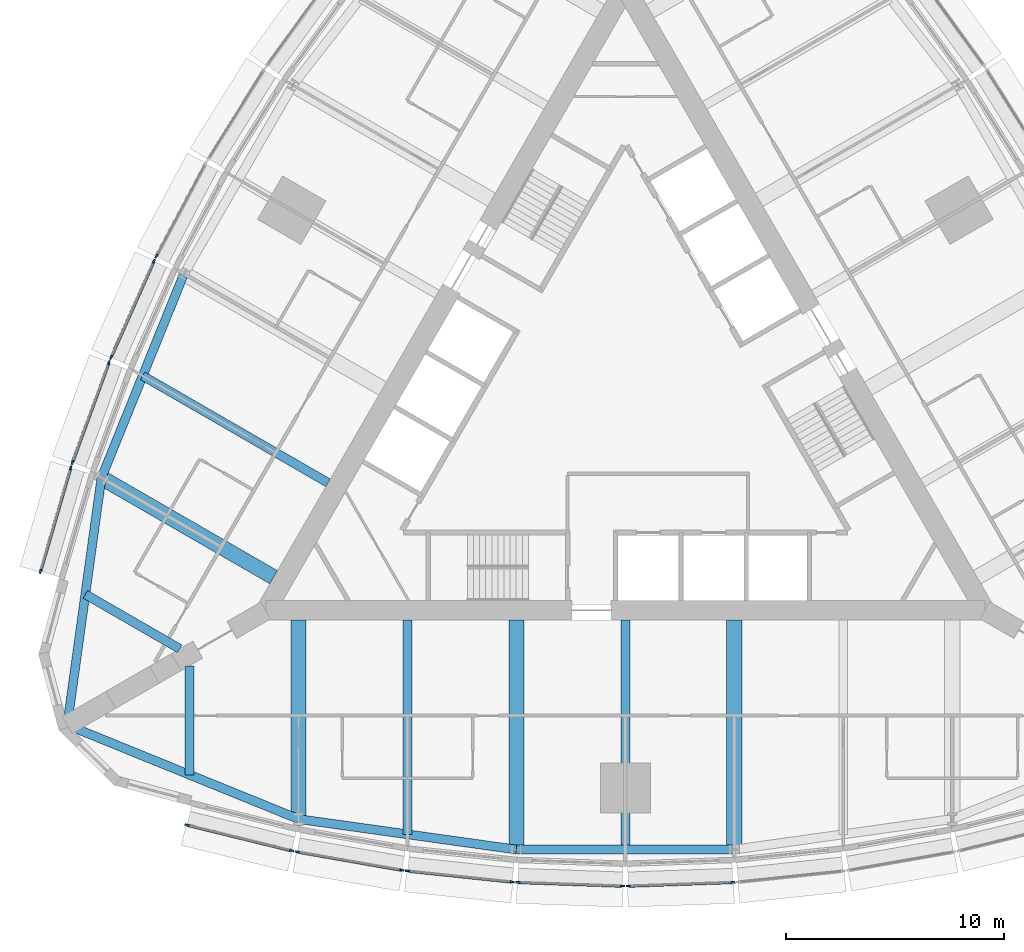
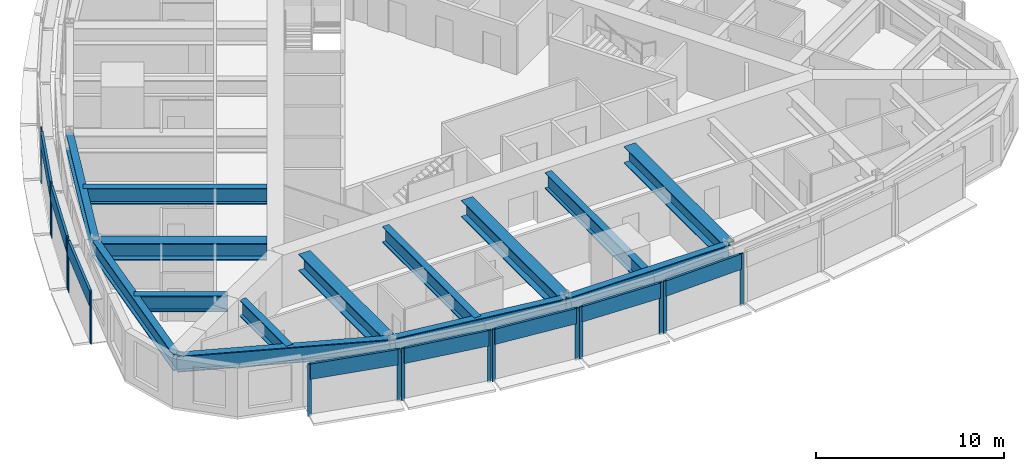
# One storey, part 2 of 15: 25 members, 14 beams, 9 elements without a shape of their own.
"""IFC4 building model written with IfcOpenShell, lengths in metres."""

import ifcopenshell
import ifcopenshell.guid

model = None  # the IFC model being written
_history = None  # IfcOwnerHistory: only IFC2X3 demands one
_inside = {}  # id of a spatial element -> (the spatial element, [elements in it])
_under = {}  # id of a project, library or spatial element -> (it, [spatial elements below it])
_declared = {}  # id of a project -> (the project, [libraries it declares])
_typed = {}  # id of a type object -> (the type object, [elements of that type])
_made_of = {}  # id of a material, layer set ... -> (it, [elements and type objects made of it])


def new_model(schema):
    """Start an empty IFC model of exactly this schema.

    Asked for "IFC4X3", IfcOpenShell would pick the latest addendum, in which some entities
    have other attributes; the version numbers below select the first issue.
    IFC2X3 requires an IfcOwnerHistory on every rooted entity: one is made here for all.
    """
    global model, _history
    if schema == "IFC4X3":
        model = ifcopenshell.file(schema_version=(4, 3, 0, 0))
    else:
        model = ifcopenshell.file(schema=schema)
    _inside.clear()
    _under.clear()
    _declared.clear()
    _typed.clear()
    _made_of.clear()
    _history = None
    if model.schema == "IFC2X3":
        org = make("IfcOrganization", Name="unknown")
        user = make(
            "IfcPersonAndOrganization",
            ThePerson=make("IfcPerson", FamilyName="unknown"),
            TheOrganization=org,
        )
        app = make(
            "IfcApplication",
            ApplicationDeveloper=org,
            Version="unknown",
            ApplicationFullName="unknown",
            ApplicationIdentifier="unknown",
        )
        _history = make(
            "IfcOwnerHistory",
            OwningUser=user,
            OwningApplication=app,
            ChangeAction="ADDED",
            CreationDate=0,
        )
    return model


def make(cls, **values):
    """One entity of the class cls with the attributes given. An attribute that is None is left unset."""
    return model.create_entity(
        cls, **{name: value for name, value in values.items() if value is not None}
    )


def rooted(cls, **values):
    """An entity with a GlobalId (a new one), such as an element, a storey or a relation."""
    return make(cls, GlobalId=ifcopenshell.guid.new(), OwnerHistory=_history, **values)


def si_unit(unit_type, name, prefix=None):
    """IfcSIUnit, for example si_unit("LENGTHUNIT", "METRE", prefix="MILLI")."""
    return make("IfcSIUnit", UnitType=unit_type, Prefix=prefix, Name=name)


def assignment(units):
    """IfcUnitAssignment: the units of a project."""
    return None if units is None else make("IfcUnitAssignment", Units=units)


def point(xyz):
    """IfcCartesianPoint."""
    return None if xyz is None else make("IfcCartesianPoint", Coordinates=xyz)


def direction(xyz):
    """IfcDirection."""
    return None if xyz is None else make("IfcDirection", DirectionRatios=xyz)


def frame(location, z_axis=None, x_axis=None):
    """IfcAxis2Placement3D, a coordinate frame: its origin and axes. An axis left out is left unset."""
    return make(
        "IfcAxis2Placement3D",
        Location=point(location),
        Axis=direction(z_axis),
        RefDirection=direction(x_axis),
    )


def frame_2d(location, x_axis=None):
    """IfcAxis2Placement2D, a coordinate frame in the plane: its origin and x axis."""
    return make(
        "IfcAxis2Placement2D", Location=point(location), RefDirection=direction(x_axis)
    )


def origin():
    """The frame at (0, 0, 0) with its axes left unset."""
    return frame((0.0, 0.0, 0.0))


def origin_2d():
    """The frame at (0, 0) in the plane with its x axis left unset."""
    return frame_2d((0.0, 0.0))


def place(relative_to, where):
    """IfcLocalPlacement: puts the frame where relative to a parent placement (None: the world)."""
    return make(
        "IfcLocalPlacement", PlacementRelTo=relative_to, RelativePlacement=where
    )


def context(
    kind, dimensions, precision=None, world=None, true_north=None, identifier=None
):
    """IfcGeometricRepresentationContext, for example the 3D "Model" context."""
    return make(
        "IfcGeometricRepresentationContext",
        ContextIdentifier=identifier,
        ContextType=kind,
        CoordinateSpaceDimension=dimensions,
        Precision=precision,
        WorldCoordinateSystem=world,
        TrueNorth=true_north,
    )


def subcontext(parent, identifier, kind, view, scale=None):
    """IfcGeometricRepresentationSubContext, for example "Body" below "Model"."""
    return make(
        "IfcGeometricRepresentationSubContext",
        ContextIdentifier=identifier,
        ContextType=kind,
        ParentContext=parent,
        TargetScale=scale,
        TargetView=view,
    )


def project(units=None, contexts=None):
    """IfcProject with its units and contexts."""
    return rooted(
        "IfcProject",
        Name="project",
        RepresentationContexts=contexts,
        UnitsInContext=assignment(units),
    )


def spatial(cls, under=None, at=None, **own):
    """A site, building, storey or space (cls), placed at a placement, below another one or the project."""
    s = rooted(cls, ObjectPlacement=at, **own)
    if under is not None:
        _under.setdefault(under.id(), (under, []))[1].append(s)
    return s


def profile(cls, at=None, kind="AREA", **sizes):
    """A parametric profile (cls). Its sizes go by their IFC names, for example OverallWidth=200.0."""
    return make(cls, ProfileType=kind, Position=at, **sizes)


def rectangle(**sizes):
    """IfcRectangleProfileDef."""
    return profile("IfcRectangleProfileDef", **sizes)


def i_section(**sizes):
    """IfcIShapeProfileDef."""
    return profile("IfcIShapeProfileDef", **sizes)


def extrude(swept, where, along, depth):
    """IfcExtrudedAreaSolid: the profile swept, set in the frame where, extruded along a direction by depth."""
    return make(
        "IfcExtrudedAreaSolid",
        SweptArea=swept,
        Position=where,
        ExtrudedDirection=direction(along),
        Depth=depth,
    )


def shape(context_of_items, identifier, shape_type, items):
    """IfcShapeRepresentation: the items that make up one representation, for example the "Body"."""
    return make(
        "IfcShapeRepresentation",
        ContextOfItems=context_of_items,
        RepresentationIdentifier=identifier,
        RepresentationType=shape_type,
        Items=items,
    )


def material(Name=None, Category=None):
    """IfcMaterial."""
    return make("IfcMaterial", Name=Name, Category=Category)


def material_profile(
    of_material, cross_section, Name=None, Category=None, Priority=None
):
    """IfcMaterialProfile: a cross section and its material."""
    return make(
        "IfcMaterialProfile",
        Name=Name,
        Material=of_material,
        Profile=cross_section,
        Priority=Priority,
        Category=Category,
    )


def profile_set(profiles, Name=None, composite=None):
    """IfcMaterialProfileSet."""
    return make(
        "IfcMaterialProfileSet",
        Name=Name,
        MaterialProfiles=profiles,
        CompositeProfile=composite,
    )


def made_of(thing, what):
    """Note that an element or type object is made of a material, layer set ...; save() writes the relation."""
    if what is not None:
        _made_of.setdefault(what.id(), (what, []))[1].append(thing)
    return thing


def type_object(cls, material=None, **own):
    """A type object (cls), such as IfcWallType, which elements share."""
    return made_of(rooted(cls, **own), material)


def element(
    cls,
    number,
    at=None,
    inside=None,
    cuts=None,
    type_object=None,
    material=None,
    context=None,
    identifier="Body",
    shape_type=None,
    held_by="IfcProductDefinitionShape",
    body=None,
    shapes=None,
    **own,
):
    """One element of the class cls, such as IfcWall. Its Tag is "e" and its number.

    at: its placement. inside: the storey or other place that contains it. cuts: it is an
    opening in that element (IfcRelVoidsElement). A single representation is given by context,
    identifier, shape_type and body (its items); several are given by shapes. held_by: the class
    of the entity that holds the representations. save() writes the other relations.
    """
    e = rooted(cls, Tag="e%d" % number, ObjectPlacement=at, **own)
    if body is not None:
        shapes = [shape(context, identifier, shape_type, body)]
    if shapes is not None:
        e.Representation = make(held_by, Representations=shapes)
    if inside is not None:
        _inside.setdefault(inside.id(), (inside, []))[1].append(e)
    if cuts is not None:
        rooted(
            "IfcRelVoidsElement", RelatingBuildingElement=cuts, RelatedOpeningElement=e
        )
    if type_object is not None:
        _typed.setdefault(type_object.id(), (type_object, []))[1].append(e)
    return made_of(e, material)


def aggregate(whole, parts):
    """IfcRelAggregates: a whole, such as a stair, and the parts it consists of."""
    return rooted("IfcRelAggregates", RelatingObject=whole, RelatedObjects=parts)


def save(model, path):
    """Write the relations noted so far, then the file.

    IfcRelAggregates (storeys below a building ...), IfcRelContainedInSpatialStructure (elements
    in a storey), IfcRelDefinesByType, IfcRelAssociatesMaterial and IfcRelDeclares: one each for
    every whole, place, type object, material and project.
    """
    for whole, parts in _under.values():
        aggregate(whole, parts)
    for where, things in _inside.values():
        rooted(
            "IfcRelContainedInSpatialStructure",
            RelatedElements=things,
            RelatingStructure=where,
        )
    for kind, things in _typed.values():
        rooted("IfcRelDefinesByType", RelatedObjects=things, RelatingType=kind)
    for what, things in _made_of.values():
        rooted("IfcRelAssociatesMaterial", RelatedObjects=things, RelatingMaterial=what)
    for by, libraries in _declared.values():
        rooted("IfcRelDeclares", RelatingContext=by, RelatedDefinitions=libraries)
    model.write(path)


model = new_model("IFC4")

# Units and contexts
model_context = context("Model", 3, precision=1e-05, world=origin(), true_north=direction((0.0, 1.0)))
body_context = subcontext(model_context, "Body", "Model", "MODEL_VIEW")
ifc_project = project(units=[si_unit("LENGTHUNIT", "METRE"), si_unit("AREAUNIT", "SQUARE_METRE"), si_unit("VOLUMEUNIT", "CUBIC_METRE"), si_unit("PLANEANGLEUNIT", "RADIAN"), si_unit("MASSUNIT", "GRAM", prefix="KILO")], contexts=[model_context])

# Site, building, storey
site_placement = place(None, origin())
site = spatial("IfcSite", under=ifc_project, at=site_placement, CompositionType="ELEMENT")
building_placement = place(site_placement, origin())
building = spatial("IfcBuilding", under=site, at=building_placement, Name="Trikona Tower", CompositionType="ELEMENT")
storey_placement = place(building_placement, frame((0.0, 0.0, 186.10009765625)))
storey = spatial("IfcBuildingStorey", under=building, at=storey_placement, Name="L50", CompositionType="ELEMENT", Elevation=186.10009765625)

# Curtain wall, members
ifc_material_1 = material(Name="Aluminium curtain wall system", Category="aluminium")
curtain_wall_type = type_object("IfcCurtainWallType", Name="Curtain wall DS2S", PredefinedType="NOTDEFINED", material=ifc_material_1)
curtain_wall_1_placement = place(storey_placement, origin())
curtain_wall_1 = element("IfcCurtainWall", 1, at=curtain_wall_1_placement, inside=storey, type_object=curtain_wall_type, Name="Curtain wall DS2S L50", PredefinedType="NOTDEFINED")
ifc_material_2 = material(Name="Aluminium mullion, pale anodised", Category="aluminium")
ifc_material_profile_1 = material_profile(ifc_material_2, rectangle(XDim=0.080078125, YDim=0.199951171875, at=origin_2d()), Name="MUL-DS2S")
ifc_profile_set_1 = profile_set([ifc_material_profile_1], Name="Aluminium mullion, pale anodised")
member_type_1 = type_object("IfcMemberType", Name="Mullion DS2S 80x200", PredefinedType="MULLION", material=ifc_profile_set_1)
member_1_placement = place(storey_placement, frame((-20.116943359375, -19.373046875, 0.0), z_axis=(0.0, 0.0, 1.0), x_axis=(0.237970204243, 0.971272455026, 0.0)))
member_1 = element("IfcMember", 2, at=member_1_placement, type_object=member_type_1, Name="CW-DS2S mullion 1", PredefinedType="MULLION", context=body_context, shape_type="SweptSolid", body=[
    extrude(rectangle(XDim=0.080078125, YDim=0.199951171875, at=origin_2d()), origin(), (0.0, 0.0, 1.0), 3.39990234375),
])
member_2_placement = place(storey_placement, frame((-15.311279296875, -20.550537109375, 0.0), z_axis=(0.0, 0.0, 1.0), x_axis=(0.237970204243, 0.971272455026, 0.0)))
member_2 = element("IfcMember", 3, at=member_2_placement, type_object=member_type_1, Name="CW-DS2S mullion 2", PredefinedType="MULLION", context=body_context, shape_type="SweptSolid", body=[
    extrude(rectangle(XDim=0.080078125, YDim=0.199951171875, at=origin_2d()), origin(), (0.0, 0.0, 1.0), 3.39990234375),
])

curtain_wall_2_placement = place(storey_placement, origin())
curtain_wall_2 = element("IfcCurtainWall", 4, at=curtain_wall_2_placement, inside=storey, type_object=curtain_wall_type, Name="Curtain wall DS2S L50", PredefinedType="NOTDEFINED")
member_3_placement = place(storey_placement, frame((-15.056640625, -20.60400390625, 0.0), z_axis=(0.0, 0.0, 1.0), x_axis=(0.17237739505, 0.985030981074, 0.0)))
member_3 = element("IfcMember", 5, at=member_3_placement, type_object=member_type_1, Name="CW-DS2S mullion 1", PredefinedType="MULLION", context=body_context, shape_type="SweptSolid", body=[
    extrude(rectangle(XDim=0.080078125, YDim=0.199951171875, at=origin_2d()), origin(), (0.0, 0.0, 1.0), 3.39990234375),
])
member_4_placement = place(storey_placement, frame((-10.253662109375, -21.444580078125, 0.0), z_axis=(0.0, 0.0, 1.0), x_axis=(0.17237739505, 0.985030981074, 0.0)))
member_4 = element("IfcMember", 6, at=member_4_placement, type_object=member_type_1, Name="CW-DS2S mullion 2", PredefinedType="MULLION", context=body_context, shape_type="SweptSolid", body=[
    extrude(rectangle(XDim=0.080078125, YDim=0.199951171875, at=origin_2d()), origin(), (0.0, 0.0, 1.0), 3.39990234375),
])

curtain_wall_3_placement = place(storey_placement, origin())
curtain_wall_3 = element("IfcCurtainWall", 7, at=curtain_wall_3_placement, inside=storey, type_object=curtain_wall_type, Name="Curtain wall DS2S L50", PredefinedType="NOTDEFINED")
member_5_placement = place(storey_placement, frame((-9.99462890625, -21.480712890625, 0.0), z_axis=(0.0, 0.0, 1.0), x_axis=(0.104433387357, 0.994531883654, 0.0)))
member_5 = element("IfcMember", 8, at=member_5_placement, type_object=member_type_1, Name="CW-DS2S mullion 1", PredefinedType="MULLION", context=body_context, shape_type="SweptSolid", body=[
    extrude(rectangle(XDim=0.080078125, YDim=0.199951171875, at=origin_2d()), origin(), (0.0, 0.0, 1.0), 3.39990234375),
])
member_6_placement = place(storey_placement, frame((-5.193359375, -21.98486328125, 0.0), z_axis=(0.0, 0.0, 1.0), x_axis=(0.104433387357, 0.994531883654, 0.0)))
member_6 = element("IfcMember", 9, at=member_6_placement, type_object=member_type_1, Name="CW-DS2S mullion 2", PredefinedType="MULLION", context=body_context, shape_type="SweptSolid", body=[
    extrude(rectangle(XDim=0.080078125, YDim=0.199951171875, at=origin_2d()), origin(), (0.0, 0.0, 1.0), 3.39990234375),
])

curtain_wall_4_placement = place(storey_placement, origin())
curtain_wall_4 = element("IfcCurtainWall", 10, at=curtain_wall_4_placement, inside=storey, type_object=curtain_wall_type, Name="Curtain wall DS2S L50", PredefinedType="NOTDEFINED")
member_7_placement = place(storey_placement, frame((-4.931640625, -22.003173828125, 0.0), z_axis=(0.0, 0.0, 1.0), x_axis=(0.034998320052, 0.99938737114, 0.0)))
member_7 = element("IfcMember", 11, at=member_7_placement, type_object=member_type_1, Name="CW-DS2S mullion 1", PredefinedType="MULLION", context=body_context, shape_type="SweptSolid", body=[
    extrude(rectangle(XDim=0.080078125, YDim=0.199951171875, at=origin_2d()), origin(), (0.0, 0.0, 1.0), 3.39990234375),
])
member_8_placement = place(storey_placement, frame((-0.13134765625, -22.171142578125, 0.0), z_axis=(0.0, 0.0, 1.0), x_axis=(0.034998320052, 0.99938737114, 0.0)))
member_8 = element("IfcMember", 12, at=member_8_placement, type_object=member_type_1, Name="CW-DS2S mullion 2", PredefinedType="MULLION", context=body_context, shape_type="SweptSolid", body=[
    extrude(rectangle(XDim=0.080078125, YDim=0.199951171875, at=origin_2d()), origin(), (0.0, 0.0, 1.0), 3.39990234375),
])

curtain_wall_5_placement = place(storey_placement, origin())
curtain_wall_5 = element("IfcCurtainWall", 13, at=curtain_wall_5_placement, inside=storey, type_object=curtain_wall_type, Name="Curtain wall DS2S L50", PredefinedType="NOTDEFINED")
member_9_placement = place(storey_placement, frame((0.13134765625, -22.171142578125, 0.0), z_axis=(0.0, 0.0, 1.0), x_axis=(-0.034998320052, 0.99938737114, 0.0)))
member_9 = element("IfcMember", 14, at=member_9_placement, type_object=member_type_1, Name="CW-DS2S mullion 1", PredefinedType="MULLION", context=body_context, shape_type="SweptSolid", body=[
    extrude(rectangle(XDim=0.080078125, YDim=0.199951171875, at=origin_2d()), origin(), (0.0, 0.0, 1.0), 3.39990234375),
])
member_10_placement = place(storey_placement, frame((4.931640625, -22.003173828125, 0.0), z_axis=(0.0, 0.0, 1.0), x_axis=(-0.034998320052, 0.99938737114, 0.0)))
member_10 = element("IfcMember", 15, at=member_10_placement, type_object=member_type_1, Name="CW-DS2S mullion 2", PredefinedType="MULLION", context=body_context, shape_type="SweptSolid", body=[
    extrude(rectangle(XDim=0.080078125, YDim=0.199951171875, at=origin_2d()), origin(), (0.0, 0.0, 1.0), 3.39990234375),
])

# Curtain wall, member
curtain_wall_6_placement = place(storey_placement, origin())
curtain_wall_6 = element("IfcCurtainWall", 16, at=curtain_wall_6_placement, inside=storey, type_object=curtain_wall_type, Name="Curtain wall DS2S L50", PredefinedType="NOTDEFINED")
member_11_placement = place(storey_placement, frame((-21.52099609375, 6.730712890625, 0.0), z_axis=(0.0, 0.0, 1.0), x_axis=(0.882996107343, -0.469380308937, 0.0)))
member_11 = element("IfcMember", 17, at=member_11_placement, type_object=member_type_1, Name="CW-DS2S mullion 2", PredefinedType="MULLION", context=body_context, shape_type="SweptSolid", body=[
    extrude(rectangle(XDim=0.080078125, YDim=0.199951171875, at=origin_2d()), origin(), (0.0, 0.0, 1.0), 3.39990234375),
])
aggregate(curtain_wall_6, [member_11])

# Curtain wall, members
curtain_wall_7_placement = place(storey_placement, origin())
curtain_wall_7 = element("IfcCurtainWall", 18, at=curtain_wall_7_placement, inside=storey, type_object=curtain_wall_type, Name="Curtain wall DS2S L50", PredefinedType="NOTDEFINED")
member_12_placement = place(storey_placement, frame((-21.63623046875, 6.494873046875, 0.0), z_axis=(0.0, 0.0, 1.0), x_axis=(0.913501208767, -0.406836013132, 0.0)))
member_12 = element("IfcMember", 19, at=member_12_placement, type_object=member_type_1, Name="CW-DS2S mullion 1", PredefinedType="MULLION", context=body_context, shape_type="SweptSolid", body=[
    extrude(rectangle(XDim=0.080078125, YDim=0.199951171875, at=origin_2d()), origin(), (0.0, 0.0, 1.0), 3.39990234375),
])
member_13_placement = place(storey_placement, frame((-23.60009765625, 2.0849609375, 0.0), z_axis=(0.0, 0.0, 1.0), x_axis=(0.913501208767, -0.406836013132, 0.0)))
member_13 = element("IfcMember", 20, at=member_13_placement, type_object=member_type_1, Name="CW-DS2S mullion 2", PredefinedType="MULLION", context=body_context, shape_type="SweptSolid", body=[
    extrude(rectangle(XDim=0.080078125, YDim=0.199951171875, at=origin_2d()), origin(), (0.0, 0.0, 1.0), 3.39990234375),
])

curtain_wall_8_placement = place(storey_placement, origin())
curtain_wall_8 = element("IfcCurtainWall", 21, at=curtain_wall_8_placement, inside=storey, type_object=curtain_wall_type, Name="Curtain wall DS2S L50", PredefinedType="NOTDEFINED")
member_14_placement = place(storey_placement, frame((-23.6982421875, 1.84228515625, 0.0), z_axis=(0.0, 0.0, 1.0), x_axis=(0.939253790978, -0.343223420143, 0.0)))
member_14 = element("IfcMember", 22, at=member_14_placement, type_object=member_type_1, Name="CW-DS2S mullion 1", PredefinedType="MULLION", context=body_context, shape_type="SweptSolid", body=[
    extrude(rectangle(XDim=0.080078125, YDim=0.199951171875, at=origin_2d()), origin(), (0.0, 0.0, 1.0), 3.39990234375),
])
member_15_placement = place(storey_placement, frame((-25.371826171875, -2.737548828125, 0.0), z_axis=(0.0, 0.0, 1.0), x_axis=(0.939253790978, -0.343223420143, 0.0)))
member_15 = element("IfcMember", 23, at=member_15_placement, type_object=member_type_1, Name="CW-DS2S mullion 2", PredefinedType="MULLION", context=body_context, shape_type="SweptSolid", body=[
    extrude(rectangle(XDim=0.080078125, YDim=0.199951171875, at=origin_2d()), origin(), (0.0, 0.0, 1.0), 3.39990234375),
])

curtain_wall_9_placement = place(storey_placement, origin())
curtain_wall_9 = element("IfcCurtainWall", 24, at=curtain_wall_9_placement, inside=storey, type_object=curtain_wall_type, Name="Curtain wall DS2S L50", PredefinedType="NOTDEFINED")
member_16_placement = place(storey_placement, frame((-25.452880859375, -2.984619140625, 0.0), z_axis=(0.0, 0.0, 1.0), x_axis=(0.96013310152, -0.279543247757, 0.0)))
member_16 = element("IfcMember", 25, at=member_16_placement, type_object=member_type_1, Name="CW-DS2S mullion 1", PredefinedType="MULLION", context=body_context, shape_type="SweptSolid", body=[
    extrude(rectangle(XDim=0.080078125, YDim=0.199951171875, at=origin_2d()), origin(), (0.0, 0.0, 1.0), 3.39990234375),
])
member_17_placement = place(storey_placement, frame((-26.836181640625, -7.7353515625, 0.0), z_axis=(0.0, 0.0, 1.0), x_axis=(0.96013310152, -0.279543247757, 0.0)))
member_17 = element("IfcMember", 26, at=member_17_placement, type_object=member_type_1, Name="CW-DS2S mullion 2", PredefinedType="MULLION", context=body_context, shape_type="SweptSolid", body=[
    extrude(rectangle(XDim=0.080078125, YDim=0.199951171875, at=origin_2d()), origin(), (0.0, 0.0, 1.0), 3.39990234375),
])

# Beams
ifc_material_3 = material(Name="Steel ASTM A992 Grade 50", Category="steel")
ifc_material_profile_2 = material_profile(ifc_material_3, i_section(OverallWidth=0.699951171875, OverallDepth=1.10009765625, WebThickness=0.0400390625, FlangeThickness=0.06005859375, at=origin_2d()), Name="PG1100X700")
ifc_profile_set_2 = profile_set([ifc_material_profile_2], Name="Steel ASTM A992 Grade 50")
beam_type_1 = type_object("IfcBeamType", Name="Steel beam PG1100x700 (belt chord radial)", PredefinedType="BEAM", material=ifc_profile_set_2)
beam_1_placement = place(storey_placement, frame((-15.0, -9.976318359375, 2.599853515625), z_axis=(0.0, -1.0, 0.0), x_axis=(1.0, 0.0, 0.0)))
element("IfcBeam", 27, at=beam_1_placement, inside=storey, type_object=beam_type_1, Name="Floor beam L51 F1 u-15", PredefinedType="BEAM", context=body_context, shape_type="SweptSolid", body=[
    extrude(i_section(OverallWidth=0.699951171875, OverallDepth=1.10009765625, WebThickness=0.0400390625, FlangeThickness=0.06005859375, at=origin_2d()), origin(), (0.0, 0.0, 1.0), 9.123779296875),
])
for number, where, z_axis, x_axis, name in (
    (28, (-5.0, -9.976318359375, 2.599853515625), (0.0, -1.0, 0.0), (1.0, 0.0, 0.0), "Floor beam L51 F1 u-5"),
    (29, (5.0, -9.976318359375, 2.599853515625), (0.0, -1.0, 0.0), (1.0, 0.0, 0.0), "Floor beam L51 F1 u5"),
):
    element("IfcBeam", number, at=place(storey_placement, frame(where, z_axis=z_axis, x_axis=x_axis)), inside=storey, type_object=beam_type_1, Name=name, PredefinedType="BEAM", context=body_context, shape_type="SweptSolid", body=[
        extrude(i_section(OverallWidth=0.699951171875, OverallDepth=1.10009765625, WebThickness=0.0400390625, FlangeThickness=0.06005859375, at=origin_2d()), origin(), (0.0, 0.0, 1.0), 10.52392578125),
    ])
beam_2_placement = place(storey_placement, frame((-16.1396484375, -8.002197265625, 2.599853515625), z_axis=(-0.866024725532, 0.500001174766, 0.0), x_axis=(-0.500001174766, -0.866024725532, 0.0)))
element("IfcBeam", 30, at=beam_2_placement, inside=storey, type_object=beam_type_1, Name="Floor beam L51 F3 u15", PredefinedType="BEAM", context=body_context, shape_type="SweptSolid", body=[
    extrude(i_section(OverallWidth=0.699951171875, OverallDepth=1.10009765625, WebThickness=0.0400390625, FlangeThickness=0.06005859375, at=origin_2d()), origin(), (0.0, 0.0, 1.0), 9.1240234375),
])
ifc_material_4 = material(Name="Steel ASTM A992 Grade 50", Category="steel")
ifc_material_profile_3 = material_profile(ifc_material_4, i_section(OverallWidth=0.408935546875, OverallDepth=1.04150390625, WebThickness=0.031005859375, FlangeThickness=0.055908203125, at=origin_2d()), Name="W40X397")
ifc_profile_set_3 = profile_set([ifc_material_profile_3], Name="Steel ASTM A992 Grade 50")
beam_type_2 = type_object("IfcBeamType", Name="Steel beam W40x397 (plant spandrel)", PredefinedType="SPANDREL", material=ifc_profile_set_3)
beam_3_placement = place(storey_placement, frame((-25.6103515625, -14.7861328125, 2.629150390625), z_axis=(0.926359695662, -0.376640032728, 0.0), x_axis=(0.376640032728, 0.926359695662, 0.0)))
element("IfcBeam", 31, at=beam_3_placement, inside=storey, type_object=beam_type_2, Name="Spandrel beam L51 F1-1", PredefinedType="SPANDREL", context=body_context, shape_type="SweptSolid", body=[
    extrude(i_section(OverallWidth=0.408935546875, OverallDepth=1.04150390625, WebThickness=0.031005859375, FlangeThickness=0.055908203125, at=origin_2d()), origin(), (0.0, 0.0, 1.0), 11.453857421875),
])
beam_4_placement = place(storey_placement, frame((-15.0, -19.10009765625, 2.629150390625), z_axis=(0.990339754644, -0.13866207258, 0.0), x_axis=(0.13866207258, 0.990339754644, 0.0)))
element("IfcBeam", 32, at=beam_4_placement, inside=storey, type_object=beam_type_2, Name="Spandrel beam L51 F1-2", PredefinedType="SPANDREL", context=body_context, shape_type="SweptSolid", body=[
    extrude(i_section(OverallWidth=0.408935546875, OverallDepth=1.04150390625, WebThickness=0.031005859375, FlangeThickness=0.055908203125, at=origin_2d()), origin(), (0.0, 0.0, 1.0), 10.09765625),
])
beam_5_placement = place(storey_placement, frame((-5.0, -20.500244140625, 2.629150390625), z_axis=(1.0, 0.0, 0.0), x_axis=(0.0, 1.0, 0.0)))
element("IfcBeam", 33, at=beam_5_placement, inside=storey, type_object=beam_type_2, Name="Spandrel beam L51 F1-3", PredefinedType="SPANDREL", context=body_context, shape_type="SweptSolid", body=[
    extrude(i_section(OverallWidth=0.408935546875, OverallDepth=1.04150390625, WebThickness=0.031005859375, FlangeThickness=0.055908203125, at=origin_2d()), origin(), (0.0, 0.0, 1.0), 10.0),
])
beam_6_placement = place(storey_placement, frame((-20.253662109375, 5.919921875, 2.629150390625), z_axis=(-0.375106193787, -0.926981846307, 0.0), x_axis=(0.926981846307, -0.375106193787, 0.0)))
element("IfcBeam", 34, at=beam_6_placement, inside=storey, type_object=beam_type_2, Name="Spandrel beam L51 F3-4", PredefinedType="SPANDREL", context=body_context, shape_type="SweptSolid", body=[
    extrude(i_section(OverallWidth=0.408935546875, OverallDepth=1.04150390625, WebThickness=0.031005859375, FlangeThickness=0.055908203125, at=origin_2d()), origin(), (0.0, 0.0, 1.0), 10.097412109375),
])
beam_7_placement = place(storey_placement, frame((-24.041259765625, -3.440185546875, 2.629150390625), z_axis=(-0.136991535842, -0.990572218017, 0.0), x_axis=(0.990572218017, -0.136991535842, 0.0)))
element("IfcBeam", 35, at=beam_7_placement, inside=storey, type_object=beam_type_2, Name="Spandrel beam L51 F3-5", PredefinedType="SPANDREL", context=body_context, shape_type="SweptSolid", body=[
    extrude(i_section(OverallWidth=0.408935546875, OverallDepth=1.04150390625, WebThickness=0.031005859375, FlangeThickness=0.055908203125, at=origin_2d()), origin(), (0.0, 0.0, 1.0), 11.453857421875),
])
ifc_material_5 = material(Name="Steel ASTM A992 Grade 50", Category="steel")
ifc_material_profile_4 = material_profile(ifc_material_5, i_section(OverallWidth=0.408935546875, OverallDepth=1.04150390625, WebThickness=0.031005859375, FlangeThickness=0.055908203125, at=origin_2d()), Name="W40X397")
ifc_profile_set_4 = profile_set([ifc_material_profile_4], Name="Steel ASTM A992 Grade 50")
beam_type_3 = type_object("IfcBeamType", Name="Steel beam W40x397 (plant)", PredefinedType="BEAM", material=ifc_profile_set_4)
beam_8_placement = place(storey_placement, frame((-10.0, -9.976318359375, 2.629150390625), z_axis=(0.0, -1.0, 0.0), x_axis=(1.0, 0.0, 0.0)))
element("IfcBeam", 36, at=beam_8_placement, inside=storey, type_object=beam_type_3, Name="Floor beam L51 F1 u-10", PredefinedType="BEAM", context=body_context, shape_type="SweptSolid", body=[
    extrude(i_section(OverallWidth=0.408935546875, OverallDepth=1.04150390625, WebThickness=0.031005859375, FlangeThickness=0.055908203125, at=origin_2d()), origin(), (0.0, 0.0, 1.0), 9.823974609375),
])
beam_9_placement = place(storey_placement, frame((0.0, -9.976318359375, 2.629150390625), z_axis=(0.0, -1.0, 0.0), x_axis=(1.0, 0.0, 0.0)))
element("IfcBeam", 37, at=beam_9_placement, inside=storey, type_object=beam_type_3, Name="Floor beam L51 F1 u0", PredefinedType="BEAM", context=body_context, shape_type="SweptSolid", body=[
    extrude(i_section(OverallWidth=0.408935546875, OverallDepth=1.04150390625, WebThickness=0.031005859375, FlangeThickness=0.055908203125, at=origin_2d()), origin(), (0.0, 0.0, 1.0), 10.52392578125),
])
beam_10_placement = place(storey_placement, frame((-13.6396484375, -3.672119140625, 2.629150390625), z_axis=(-0.866020046725, 0.500009278584, 0.0), x_axis=(-0.500009278584, -0.866020046725, 0.0)))
element("IfcBeam", 38, at=beam_10_placement, inside=storey, type_object=beam_type_3, Name="Floor beam L51 F3 u10", PredefinedType="BEAM", context=body_context, shape_type="SweptSolid", body=[
    extrude(i_section(OverallWidth=0.408935546875, OverallDepth=1.04150390625, WebThickness=0.031005859375, FlangeThickness=0.055908203125, at=origin_2d()), origin(), (0.0, 0.0, 1.0), 9.823974609375),
])
ifc_material_6 = material(Name="Steel ASTM A992 Grade 50", Category="steel")
ifc_material_profile_5 = material_profile(ifc_material_6, i_section(OverallWidth=0.411376953125, OverallDepth=1.049072265625, WebThickness=0.033935546875, FlangeThickness=0.06005859375, at=origin_2d()), Name="W40X431")
ifc_profile_set_5 = profile_set([ifc_material_profile_5], Name="Steel ASTM A992 Grade 50")
beam_type_4 = type_object("IfcBeamType", Name="Steel beam W40x431 (plant wedge)", PredefinedType="BEAM", material=ifc_profile_set_5)
beam_11_placement = place(storey_placement, frame((-20.0, -12.066650390625, 2.62548828125), z_axis=(0.0, -1.0, 0.0), x_axis=(1.0, 0.0, 0.0)))
element("IfcBeam", 39, at=beam_11_placement, inside=storey, type_object=beam_type_4, Name="Floor beam L51 F1 u-20", PredefinedType="BEAM", context=body_context, shape_type="SweptSolid", body=[
    extrude(i_section(OverallWidth=0.411376953125, OverallDepth=1.049072265625, WebThickness=0.033935546875, FlangeThickness=0.06005859375, at=origin_2d()), origin(), (0.0, 0.0, 1.0), 5.00048828125),
])
beam_12_placement = place(storey_placement, frame((-20.449951171875, -11.287109375, 2.62548828125), z_axis=(-0.866038434829, 0.49997742889, 0.0), x_axis=(-0.49997742889, -0.866038434829, 0.0)))
element("IfcBeam", 40, at=beam_12_placement, inside=storey, type_object=beam_type_4, Name="Floor beam L51 F3 u20", PredefinedType="BEAM", context=body_context, shape_type="SweptSolid", body=[
    extrude(i_section(OverallWidth=0.411376953125, OverallDepth=1.049072265625, WebThickness=0.033935546875, FlangeThickness=0.06005859375, at=origin_2d()), origin(), (0.0, 0.0, 1.0), 5.000732421875),
])

# Member
ifc_material_7 = material(Name="Aluminium transom, pale anodised", Category="aluminium")
ifc_material_profile_6 = material_profile(ifc_material_7, rectangle(XDim=0.139892578125, YDim=1.0, at=origin_2d()), Name="TRN-DS2S")
ifc_profile_set_6 = profile_set([ifc_material_profile_6], Name="Aluminium transom, pale anodised")
member_type_2 = type_object("IfcMemberType", Name="Transom DS2S 1000x140", PredefinedType="USERDEFINED", material=ifc_profile_set_6)
member_18_placement = place(storey_placement, frame((-20.078125, -19.382568359375, 2.89990234375), z_axis=(0.971270583303, -0.237977843528, 0.0), x_axis=(0.237977843528, 0.971270583303, 0.0)))
member_18 = element("IfcMember", 41, at=member_18_placement, type_object=member_type_2, Name="CW-DS2S transom 1.1", ObjectType="TRANSOM", PredefinedType="USERDEFINED", context=body_context, shape_type="SweptSolid", body=[
    extrude(rectangle(XDim=0.139892578125, YDim=1.0, at=origin_2d()), origin(), (0.0, 0.0, 1.0), 4.867919921875),
])

aggregate(curtain_wall_1, [member_1, member_2, member_18])

member_19_placement = place(storey_placement, frame((-15.01708984375, -20.61083984375, 2.89990234375), z_axis=(0.98503262804, -0.172367983387, 0.0), x_axis=(0.172367983387, 0.98503262804, 0.0)))
member_19 = element("IfcMember", 42, at=member_19_placement, type_object=member_type_2, Name="CW-DS2S transom 1.1", ObjectType="TRANSOM", PredefinedType="USERDEFINED", context=body_context, shape_type="SweptSolid", body=[
    extrude(rectangle(XDim=0.139892578125, YDim=1.0, at=origin_2d()), origin(), (0.0, 0.0, 1.0), 4.7958984375),
])

aggregate(curtain_wall_2, [member_3, member_4, member_19])

member_20_placement = place(storey_placement, frame((-9.954833984375, -21.48486328125, 2.89990234375), z_axis=(0.99453106441, -0.104441188822, 0.0), x_axis=(0.104441188822, 0.99453106441, 0.0)))
member_20 = element("IfcMember", 43, at=member_20_placement, type_object=member_type_2, Name="CW-DS2S transom 1.1", ObjectType="TRANSOM", PredefinedType="USERDEFINED", context=body_context, shape_type="SweptSolid", body=[
    extrude(rectangle(XDim=0.139892578125, YDim=1.0, at=origin_2d()), origin(), (0.0, 0.0, 1.0), 4.74755859375),
])

aggregate(curtain_wall_3, [member_5, member_6, member_20])

member_21_placement = place(storey_placement, frame((-4.8916015625, -22.00439453125, 2.89990234375), z_axis=(0.999385692759, -0.035046213908, 0.0), x_axis=(0.035046213908, 0.999385692759, 0.0)))
member_21 = element("IfcMember", 44, at=member_21_placement, type_object=member_type_2, Name="CW-DS2S transom 1.1", ObjectType="TRANSOM", PredefinedType="USERDEFINED", context=body_context, shape_type="SweptSolid", body=[
    extrude(rectangle(XDim=0.139892578125, YDim=1.0, at=origin_2d()), origin(), (0.0, 0.0, 1.0), 4.72314453125),
])

aggregate(curtain_wall_4, [member_7, member_8, member_21])

member_22_placement = place(storey_placement, frame((0.17138671875, -22.169921875, 2.89990234375), z_axis=(0.999385692759, 0.035046213908, 0.0), x_axis=(-0.035046213908, 0.999385692759, 0.0)))
member_22 = element("IfcMember", 45, at=member_22_placement, type_object=member_type_2, Name="CW-DS2S transom 1.1", ObjectType="TRANSOM", PredefinedType="USERDEFINED", context=body_context, shape_type="SweptSolid", body=[
    extrude(rectangle(XDim=0.139892578125, YDim=1.0, at=origin_2d()), origin(), (0.0, 0.0, 1.0), 4.72314453125),
])

aggregate(curtain_wall_5, [member_9, member_10, member_22])

member_23_placement = place(storey_placement, frame((-21.65234375, 6.458251953125, 2.89990234375), z_axis=(-0.406839769607, -0.913499535778, 0.0), x_axis=(0.913499535778, -0.406839769607, 0.0)))
member_23 = element("IfcMember", 46, at=member_23_placement, type_object=member_type_2, Name="CW-DS2S transom 1.1", ObjectType="TRANSOM", PredefinedType="USERDEFINED", context=body_context, shape_type="SweptSolid", body=[
    extrude(rectangle(XDim=0.139892578125, YDim=1.0, at=origin_2d()), origin(), (0.0, 0.0, 1.0), 4.747314453125),
])

aggregate(curtain_wall_7, [member_12, member_13, member_23])

member_24_placement = place(storey_placement, frame((-23.712158203125, 1.8046875, 2.89990234375), z_axis=(-0.343205907674, -0.939260190223, 0.0), x_axis=(0.939260190223, -0.343205907674, 0.0)))
member_24 = element("IfcMember", 47, at=member_24_placement, type_object=member_type_2, Name="CW-DS2S transom 1.1", ObjectType="TRANSOM", PredefinedType="USERDEFINED", context=body_context, shape_type="SweptSolid", body=[
    extrude(rectangle(XDim=0.139892578125, YDim=1.0, at=origin_2d()), origin(), (0.0, 0.0, 1.0), 4.7958984375),
])

aggregate(curtain_wall_8, [member_14, member_15, member_24])

member_25_placement = place(storey_placement, frame((-25.464111328125, -3.023193359375, 2.89990234375), z_axis=(-0.279566628153, -0.960126293996, 0.0), x_axis=(0.960126293996, -0.279566628153, 0.0)))
member_25 = element("IfcMember", 48, at=member_25_placement, type_object=member_type_2, Name="CW-DS2S transom 1.1", ObjectType="TRANSOM", PredefinedType="USERDEFINED", context=body_context, shape_type="SweptSolid", body=[
    extrude(rectangle(XDim=0.139892578125, YDim=1.0, at=origin_2d()), origin(), (0.0, 0.0, 1.0), 4.86767578125),
])

aggregate(curtain_wall_9, [member_16, member_17, member_25])

save(model, "model.ifc")
